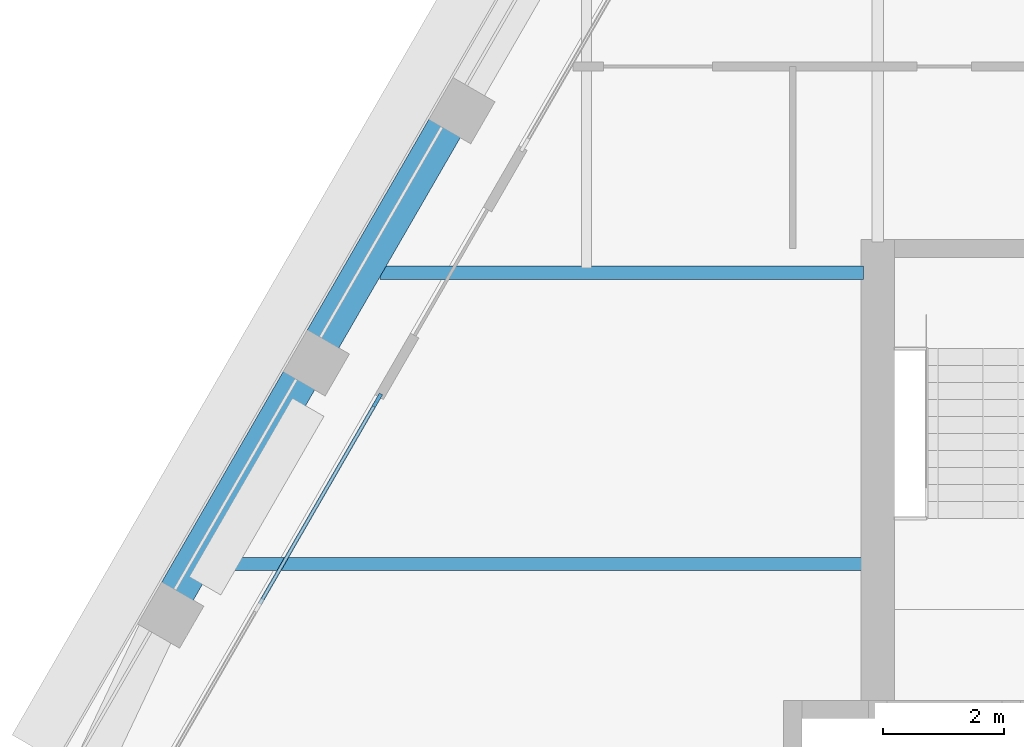
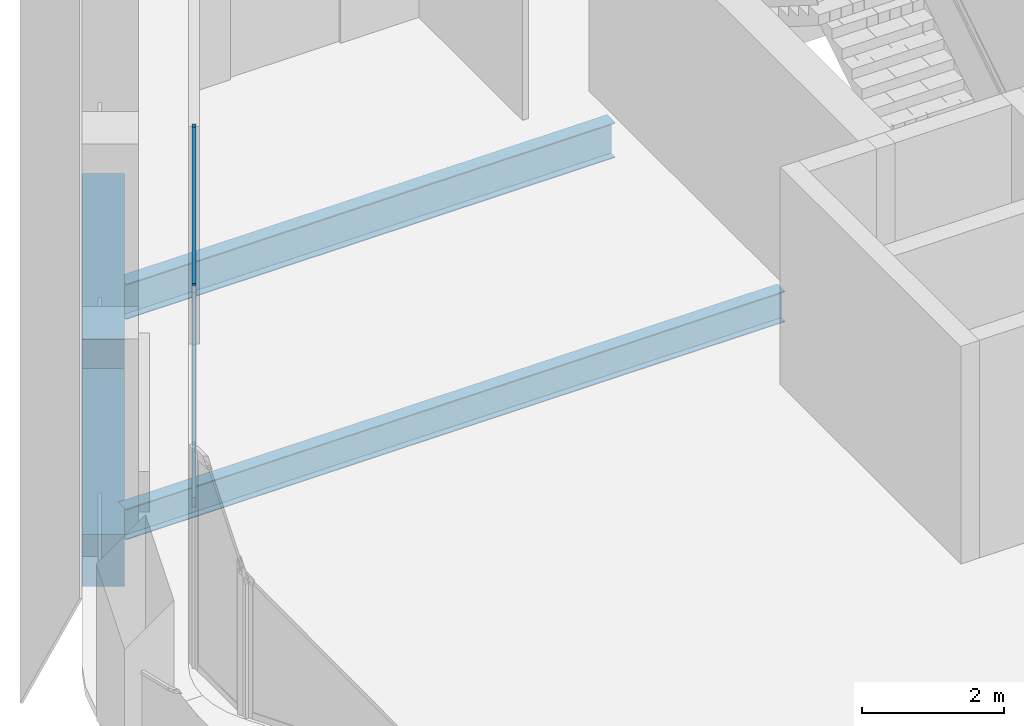
# One storey, part 3 of 13: 4 beams, 3 members, 1 element without a shape of its own.
"""IFC4 building model written with IfcOpenShell, lengths in metres."""

from ifc_helpers import new_model, si_unit, direction, frame, origin, origin_2d, place, context, subcontext, project, spatial, rectangle, i_section, extrude, material, material_profile, profile_set, type_object, element, aggregate, save


model = new_model("IFC4")

# Units and contexts
model_context = context("Model", 3, precision=1e-05, world=origin(), true_north=direction((0.0, 1.0)))
body_context = subcontext(model_context, "Body", "Model", "MODEL_VIEW")
ifc_project = project(units=[si_unit("LENGTHUNIT", "METRE"), si_unit("AREAUNIT", "SQUARE_METRE"), si_unit("VOLUMEUNIT", "CUBIC_METRE"), si_unit("PLANEANGLEUNIT", "RADIAN"), si_unit("MASSUNIT", "GRAM", prefix="KILO")], contexts=[model_context])

# Site, building, storey
site_placement = place(None, origin())
site = spatial("IfcSite", under=ifc_project, at=site_placement, CompositionType="ELEMENT")
building_placement = place(site_placement, origin())
building = spatial("IfcBuilding", under=site, at=building_placement, Name="Kolab Exchange Tower", CompositionType="ELEMENT")
storey_placement = place(building_placement, frame((0.0, 0.0, 289.10009765625)))
storey = spatial("IfcBuildingStorey", under=building, at=storey_placement, Name="L65", CompositionType="ELEMENT", Elevation=289.10009765625)

# Beams
ifc_material_1 = material(Name="Steel S355", Category="steel")
ifc_material_profile_1 = material_profile(ifc_material_1, i_section(OverallWidth=0.208984375, OverallDepth=0.532958984375, WebThickness=0.01025390625, FlangeThickness=0.015625, at=origin_2d()), Name="W530X92")
ifc_profile_set_1 = profile_set([ifc_material_profile_1], Name="Steel S355")
beam_type_1 = type_object("IfcBeamType", Name="FLOOR BEAM W530X92", PredefinedType="BEAM", material=ifc_profile_set_1)
beam_1_placement = place(storey_placement, frame((-20.575927734375, 4.800048828125, -0.41650390625), z_axis=(1.0, 0.0, 0.0), x_axis=(0.0, 1.0, 0.0)))
element("IfcBeam", 1, at=beam_1_placement, inside=storey, type_object=beam_type_1, Name="beam/L65/fr/002", PredefinedType="BEAM", context=body_context, shape_type="SweptSolid", body=[
    extrude(i_section(OverallWidth=0.208984375, OverallDepth=0.532958984375, WebThickness=0.01025390625, FlangeThickness=0.015625, at=origin_2d()), origin(), (0.0, 0.0, 1.0), 10.740966796875),
])
ifc_material_profile_2 = material_profile(ifc_material_1, i_section(OverallWidth=0.22802734375, OverallDepth=0.60791015625, WebThickness=0.01123046875, FlangeThickness=0.017333984375, at=origin_2d()), Name="W610X113")
ifc_profile_set_2 = profile_set([ifc_material_profile_2], Name="Steel S355")
beam_type_2 = type_object("IfcBeamType", Name="FLOOR GIRDER W610X113", PredefinedType="BEAM", material=ifc_profile_set_2)
beam_2_placement = place(storey_placement, frame((-17.8046875, 9.60009765625, -0.4541015625), z_axis=(1.0, 0.0, 0.0), x_axis=(0.0, 1.0, 0.0)))
element("IfcBeam", 2, at=beam_2_placement, inside=storey, type_object=beam_type_2, Name="beam/L65/gd/001", PredefinedType="BEAM", context=body_context, shape_type="SweptSolid", body=[
    extrude(i_section(OverallWidth=0.22802734375, OverallDepth=0.60791015625, WebThickness=0.01123046875, FlangeThickness=0.017333984375, at=origin_2d()), origin(), (0.0, 0.0, 1.0), 7.9697265625),
])
ifc_material_2 = material(Name="Concrete C50/60", Category="concrete")
ifc_material_profile_3 = material_profile(ifc_material_2, rectangle(XDim=0.60009765625, YDim=0.89990234375, at=origin_2d()), Name="RC600X900")
ifc_profile_set_3 = profile_set([ifc_material_profile_3], Name="Concrete C50/60")
beam_type_3 = type_object("IfcBeamType", Name="SPANDREL BEAM 600X900 C50/60", PredefinedType="BEAM", material=ifc_profile_set_3)
for number, where, z_axis, x_axis, name in (
    (3, (-21.16015625, 4.318603515625, -0.60009765625), (0.500000428765, 0.866025156237, 0.0), (-0.866025156237, 0.500000428765, 0.0), "beam/L65/sp/F6-02"),
    (4, (-18.76025390625, 8.4755859375, -0.60009765625), (0.500000428765, 0.866025156237, 0.0), (-0.866025156237, 0.500000428765, 0.0), "beam/L65/sp/F6-03"),
):
    element("IfcBeam", number, at=place(storey_placement, frame(where, z_axis=z_axis, x_axis=x_axis)), inside=storey, type_object=beam_type_3, Name=name, PredefinedType="BEAM", context=body_context, shape_type="SweptSolid", body=[
        extrude(rectangle(XDim=0.60009765625, YDim=0.89990234375, at=origin_2d()), origin(), (0.0, 0.0, 1.0), 4.080078125),
    ])

# Curtain wall, members
ifc_material_3 = material(Name="Aluminium EN AW-6063 T6", Category="aluminium")
curtain_wall_type = type_object("IfcCurtainWallType", Name="UNITISED HIGH ZONE CURTAIN WALL", PredefinedType="NOTDEFINED", material=ifc_material_3)
curtain_wall_placement = place(storey_placement, origin())
curtain_wall = element("IfcCurtainWall", 5, at=curtain_wall_placement, inside=storey, type_object=curtain_wall_type, Name="cw/L65/F6-1", PredefinedType="NOTDEFINED")
ifc_material_profile_4 = material_profile(ifc_material_3, rectangle(XDim=0.06005859375, YDim=0.239990234375, at=origin_2d()), Name="RECT 60X240")
ifc_profile_set_4 = profile_set([ifc_material_profile_4], Name="Aluminium EN AW-6063 T6")
member_type_1 = type_object("IfcMemberType", Name="UNITISED HIGH ZONE MULLION 60 X 240", PredefinedType="MULLION", material=ifc_profile_set_4)
member_1_placement = place(storey_placement, frame((-17.8466796875, 7.497802734375, 0.0), z_axis=(0.0, 0.0, 1.0), x_axis=(-0.866025440524, 0.499999936366, 0.0)))
member_1 = element("IfcMember", 6, at=member_1_placement, type_object=member_type_1, Name="CW4 mullion 3", PredefinedType="MULLION", context=body_context, shape_type="SweptSolid", body=[
    extrude(rectangle(XDim=0.06005859375, YDim=0.239990234375, at=origin_2d()), origin(), (0.0, 0.0, 1.0), 3.75),
])
ifc_material_profile_5 = material_profile(ifc_material_3, rectangle(XDim=0.06005859375, YDim=0.159912109375, at=origin_2d()), Name="RECT 60X160")
ifc_profile_set_5 = profile_set([ifc_material_profile_5], Name="Aluminium EN AW-6063 T6")
member_type_2 = type_object("IfcMemberType", Name="UNITISED HIGH ZONE TRANSOM 60 X 160", PredefinedType="USERDEFINED", material=ifc_profile_set_5)
member_2_placement = place(storey_placement, frame((-19.78369140625, 4.142822265625, 0.02978515625), z_axis=(0.500011990396, 0.866018481016, 0.0), x_axis=(-0.866018481016, 0.500011990396, 0.0)))
member_2 = element("IfcMember", 7, at=member_2_placement, type_object=member_type_2, Name="CW4 transom 2.1", ObjectType="TRANSOM", PredefinedType="USERDEFINED", context=body_context, shape_type="SweptSolid", body=[
    extrude(rectangle(XDim=0.06005859375, YDim=0.159912109375, at=origin_2d()), origin(), (0.0, 0.0, 1.0), 3.84423828125),
])
member_3_placement = place(storey_placement, frame((-19.78369140625, 4.142822265625, 3.719970703125), z_axis=(0.500011990396, 0.866018481016, 0.0), x_axis=(-0.866018481016, 0.500011990396, 0.0)))
member_3 = element("IfcMember", 8, at=member_3_placement, type_object=member_type_2, Name="CW4 transom 2.2", ObjectType="TRANSOM", PredefinedType="USERDEFINED", context=body_context, shape_type="SweptSolid", body=[
    extrude(rectangle(XDim=0.06005859375, YDim=0.159912109375, at=origin_2d()), origin(), (0.0, 0.0, 1.0), 3.84423828125),
])
aggregate(curtain_wall, [member_1, member_2, member_3])

save(model, "model.ifc")
